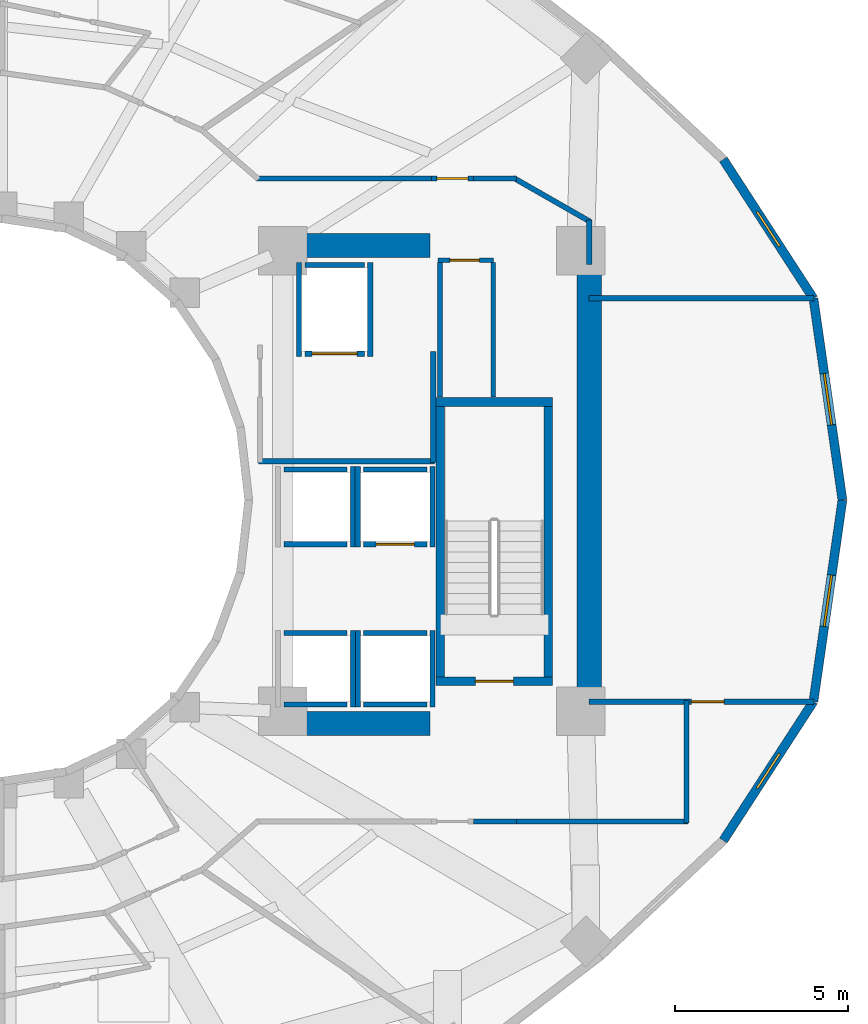
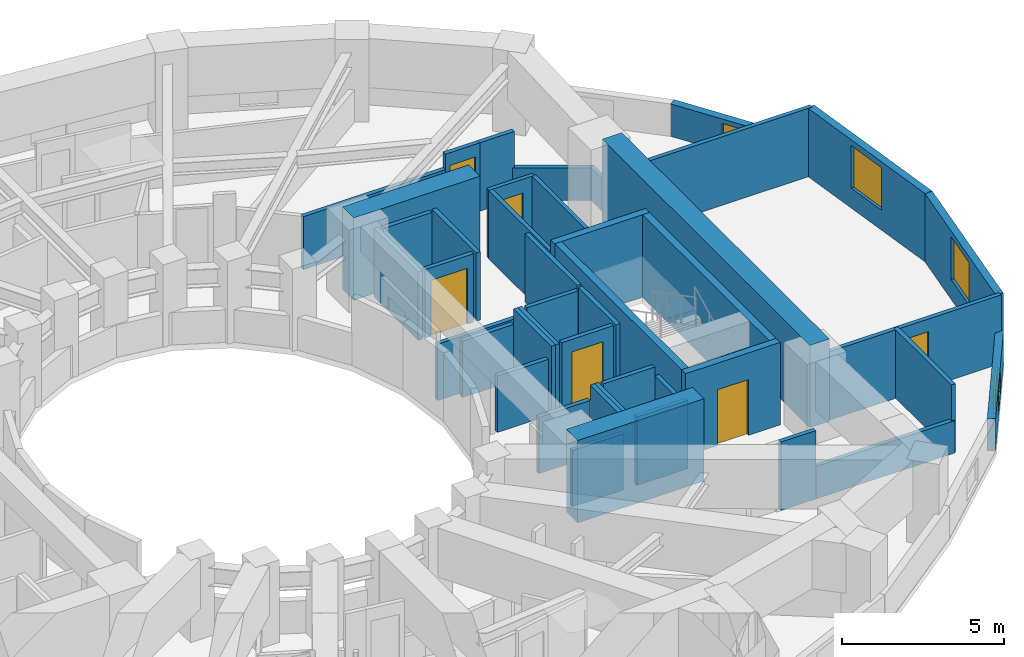
# One storey, part 6 of 9: 44 walls, 6 doors, 4 windows, 10 openings.
"""IFC4 building model written with IfcOpenShell, lengths in metres."""

import ifcopenshell
import ifcopenshell.guid

model = None  # the IFC model being written
_history = None  # IfcOwnerHistory: only IFC2X3 demands one
_inside = {}  # id of a spatial element -> (the spatial element, [elements in it])
_under = {}  # id of a project, library or spatial element -> (it, [spatial elements below it])
_declared = {}  # id of a project -> (the project, [libraries it declares])
_typed = {}  # id of a type object -> (the type object, [elements of that type])
_made_of = {}  # id of a material, layer set ... -> (it, [elements and type objects made of it])


def new_model(schema):
    """Start an empty IFC model of exactly this schema.

    Asked for "IFC4X3", IfcOpenShell would pick the latest addendum, in which some entities
    have other attributes; the version numbers below select the first issue.
    IFC2X3 requires an IfcOwnerHistory on every rooted entity: one is made here for all.
    """
    global model, _history
    if schema == "IFC4X3":
        model = ifcopenshell.file(schema_version=(4, 3, 0, 0))
    else:
        model = ifcopenshell.file(schema=schema)
    _inside.clear()
    _under.clear()
    _declared.clear()
    _typed.clear()
    _made_of.clear()
    _history = None
    if model.schema == "IFC2X3":
        org = make("IfcOrganization", Name="unknown")
        user = make(
            "IfcPersonAndOrganization",
            ThePerson=make("IfcPerson", FamilyName="unknown"),
            TheOrganization=org,
        )
        app = make(
            "IfcApplication",
            ApplicationDeveloper=org,
            Version="unknown",
            ApplicationFullName="unknown",
            ApplicationIdentifier="unknown",
        )
        _history = make(
            "IfcOwnerHistory",
            OwningUser=user,
            OwningApplication=app,
            ChangeAction="ADDED",
            CreationDate=0,
        )
    return model


def make(cls, **values):
    """One entity of the class cls with the attributes given. An attribute that is None is left unset."""
    return model.create_entity(
        cls, **{name: value for name, value in values.items() if value is not None}
    )


def rooted(cls, **values):
    """An entity with a GlobalId (a new one), such as an element, a storey or a relation."""
    return make(cls, GlobalId=ifcopenshell.guid.new(), OwnerHistory=_history, **values)


def si_unit(unit_type, name, prefix=None):
    """IfcSIUnit, for example si_unit("LENGTHUNIT", "METRE", prefix="MILLI")."""
    return make("IfcSIUnit", UnitType=unit_type, Prefix=prefix, Name=name)


def assignment(units):
    """IfcUnitAssignment: the units of a project."""
    return None if units is None else make("IfcUnitAssignment", Units=units)


def point(xyz):
    """IfcCartesianPoint."""
    return None if xyz is None else make("IfcCartesianPoint", Coordinates=xyz)


def direction(xyz):
    """IfcDirection."""
    return None if xyz is None else make("IfcDirection", DirectionRatios=xyz)


def frame(location, z_axis=None, x_axis=None):
    """IfcAxis2Placement3D, a coordinate frame: its origin and axes. An axis left out is left unset."""
    return make(
        "IfcAxis2Placement3D",
        Location=point(location),
        Axis=direction(z_axis),
        RefDirection=direction(x_axis),
    )


def frame_2d(location, x_axis=None):
    """IfcAxis2Placement2D, a coordinate frame in the plane: its origin and x axis."""
    return make(
        "IfcAxis2Placement2D", Location=point(location), RefDirection=direction(x_axis)
    )


def origin():
    """The frame at (0, 0, 0) with its axes left unset."""
    return frame((0.0, 0.0, 0.0))


def place(relative_to, where):
    """IfcLocalPlacement: puts the frame where relative to a parent placement (None: the world)."""
    return make(
        "IfcLocalPlacement", PlacementRelTo=relative_to, RelativePlacement=where
    )


def context(
    kind, dimensions, precision=None, world=None, true_north=None, identifier=None
):
    """IfcGeometricRepresentationContext, for example the 3D "Model" context."""
    return make(
        "IfcGeometricRepresentationContext",
        ContextIdentifier=identifier,
        ContextType=kind,
        CoordinateSpaceDimension=dimensions,
        Precision=precision,
        WorldCoordinateSystem=world,
        TrueNorth=true_north,
    )


def subcontext(parent, identifier, kind, view, scale=None):
    """IfcGeometricRepresentationSubContext, for example "Body" below "Model"."""
    return make(
        "IfcGeometricRepresentationSubContext",
        ContextIdentifier=identifier,
        ContextType=kind,
        ParentContext=parent,
        TargetScale=scale,
        TargetView=view,
    )


def project(units=None, contexts=None):
    """IfcProject with its units and contexts."""
    return rooted(
        "IfcProject",
        Name="project",
        RepresentationContexts=contexts,
        UnitsInContext=assignment(units),
    )


def spatial(cls, under=None, at=None, **own):
    """A site, building, storey or space (cls), placed at a placement, below another one or the project."""
    s = rooted(cls, ObjectPlacement=at, **own)
    if under is not None:
        _under.setdefault(under.id(), (under, []))[1].append(s)
    return s


def profile(cls, at=None, kind="AREA", **sizes):
    """A parametric profile (cls). Its sizes go by their IFC names, for example OverallWidth=200.0."""
    return make(cls, ProfileType=kind, Position=at, **sizes)


def rectangle(**sizes):
    """IfcRectangleProfileDef."""
    return profile("IfcRectangleProfileDef", **sizes)


def extrude(swept, where, along, depth):
    """IfcExtrudedAreaSolid: the profile swept, set in the frame where, extruded along a direction by depth."""
    return make(
        "IfcExtrudedAreaSolid",
        SweptArea=swept,
        Position=where,
        ExtrudedDirection=direction(along),
        Depth=depth,
    )


def shape(context_of_items, identifier, shape_type, items):
    """IfcShapeRepresentation: the items that make up one representation, for example the "Body"."""
    return make(
        "IfcShapeRepresentation",
        ContextOfItems=context_of_items,
        RepresentationIdentifier=identifier,
        RepresentationType=shape_type,
        Items=items,
    )


def material(Name=None, Category=None):
    """IfcMaterial."""
    return make("IfcMaterial", Name=Name, Category=Category)


def layer(
    of_material, thickness, ventilated=None, Name=None, Category=None, Priority=None
):
    """IfcMaterialLayer: one layer of a wall or slab, of a material (None: an air gap)."""
    return make(
        "IfcMaterialLayer",
        Material=of_material,
        LayerThickness=thickness,
        IsVentilated=ventilated,
        Name=Name,
        Category=Category,
        Priority=Priority,
    )


def layer_set(layers, Name=None):
    """IfcMaterialLayerSet."""
    return make("IfcMaterialLayerSet", MaterialLayers=layers, LayerSetName=Name)


def made_of(thing, what):
    """Note that an element or type object is made of a material, layer set ...; save() writes the relation."""
    if what is not None:
        _made_of.setdefault(what.id(), (what, []))[1].append(thing)
    return thing


def type_object(cls, material=None, **own):
    """A type object (cls), such as IfcWallType, which elements share."""
    return made_of(rooted(cls, **own), material)


def element(
    cls,
    number,
    at=None,
    inside=None,
    cuts=None,
    type_object=None,
    material=None,
    context=None,
    identifier="Body",
    shape_type=None,
    held_by="IfcProductDefinitionShape",
    body=None,
    shapes=None,
    **own,
):
    """One element of the class cls, such as IfcWall. Its Tag is "e" and its number.

    at: its placement. inside: the storey or other place that contains it. cuts: it is an
    opening in that element (IfcRelVoidsElement). A single representation is given by context,
    identifier, shape_type and body (its items); several are given by shapes. held_by: the class
    of the entity that holds the representations. save() writes the other relations.
    """
    e = rooted(cls, Tag="e%d" % number, ObjectPlacement=at, **own)
    if body is not None:
        shapes = [shape(context, identifier, shape_type, body)]
    if shapes is not None:
        e.Representation = make(held_by, Representations=shapes)
    if inside is not None:
        _inside.setdefault(inside.id(), (inside, []))[1].append(e)
    if cuts is not None:
        rooted(
            "IfcRelVoidsElement", RelatingBuildingElement=cuts, RelatedOpeningElement=e
        )
    if type_object is not None:
        _typed.setdefault(type_object.id(), (type_object, []))[1].append(e)
    return made_of(e, material)


def fill(opening, filler):
    """IfcRelFillsElement: the door or window that sits in an opening."""
    return rooted(
        "IfcRelFillsElement",
        RelatingOpeningElement=opening,
        RelatedBuildingElement=filler,
    )


def aggregate(whole, parts):
    """IfcRelAggregates: a whole, such as a stair, and the parts it consists of."""
    return rooted("IfcRelAggregates", RelatingObject=whole, RelatedObjects=parts)


def save(model, path):
    """Write the relations noted so far, then the file.

    IfcRelAggregates (storeys below a building ...), IfcRelContainedInSpatialStructure (elements
    in a storey), IfcRelDefinesByType, IfcRelAssociatesMaterial and IfcRelDeclares: one each for
    every whole, place, type object, material and project.
    """
    for whole, parts in _under.values():
        aggregate(whole, parts)
    for where, things in _inside.values():
        rooted(
            "IfcRelContainedInSpatialStructure",
            RelatedElements=things,
            RelatingStructure=where,
        )
    for kind, things in _typed.values():
        rooted("IfcRelDefinesByType", RelatedObjects=things, RelatingType=kind)
    for what, things in _made_of.values():
        rooted("IfcRelAssociatesMaterial", RelatedObjects=things, RelatingMaterial=what)
    for by, libraries in _declared.values():
        rooted("IfcRelDeclares", RelatingContext=by, RelatedDefinitions=libraries)
    model.write(path)


model = new_model("IFC4")

# Units and contexts
model_context = context("Model", 3, precision=1e-05, world=origin(), true_north=direction((0.0, 1.0)))
body_context = subcontext(model_context, "Body", "Model", "MODEL_VIEW")
ifc_project = project(units=[si_unit("LENGTHUNIT", "METRE"), si_unit("AREAUNIT", "SQUARE_METRE"), si_unit("VOLUMEUNIT", "CUBIC_METRE"), si_unit("PLANEANGLEUNIT", "RADIAN"), si_unit("MASSUNIT", "GRAM", prefix="KILO")], contexts=[model_context])

# Site, building, storey
site_placement = place(None, origin())
site = spatial("IfcSite", under=ifc_project, at=site_placement, CompositionType="ELEMENT")
building_placement = place(site_placement, origin())
building = spatial("IfcBuilding", under=site, at=building_placement, Name="Solvane Sanctuary Tower", CompositionType="ELEMENT")
storey_placement = place(building_placement, frame((0.0, 0.0, 110.39990234375)))
storey = spatial("IfcBuildingStorey", under=building, at=storey_placement, Name="L33", CompositionType="ELEMENT", Elevation=110.39990234375)

# Walls
ifc_material_1 = material(Name="Concrete C60/75", Category="concrete")
ifc_layer_1 = layer(ifc_material_1, 0.699951171875, Name="Concrete C60/75")
ifc_layer_set_1 = layer_set([ifc_layer_1], Name="Concrete C60/75")
wall_type_1 = type_object("IfcWallType", Name="Wall W-CORE-700", PredefinedType="SHEAR", material=ifc_layer_set_1)
wall_1_placement = place(storey_placement, frame((48.949951171875, 17.050048828125, 0.0), z_axis=(0.0, 0.0, 1.0), x_axis=(0.0, 1.0, 0.0)))
element("IfcWall", 1, at=wall_1_placement, inside=storey, type_object=wall_type_1, Name="L33 Core Shear Wall EC-E", PredefinedType="SHEAR", context=body_context, shape_type="SweptSolid", body=[
    extrude(rectangle(XDim=12.800048828125, YDim=0.699951171875, at=frame_2d((6.39990234375, 0.0))), origin(), (0.0, 0.0, 1.0), 3.10009765625),
])
for number, where, z_axis, x_axis, name in (
    (2, (39.85009765625, 16.550048828125, 0.0), (0.0, 0.0, 1.0), (1.0, 0.0, 0.0), "L33 Core Shear Wall EC-S"),
    (3, (39.85009765625, 30.35009765625, 0.0), (0.0, 0.0, 1.0), (1.0, 0.0, 0.0), "L33 Core Shear Wall EC-N"),
):
    element("IfcWall", number, at=place(storey_placement, frame(where, z_axis=z_axis, x_axis=x_axis)), inside=storey, type_object=wall_type_1, Name=name, PredefinedType="SHEAR", context=body_context, shape_type="SweptSolid", body=[
        extrude(rectangle(XDim=4.5, YDim=0.699951171875, at=frame_2d((2.25, 0.0))), origin(), (0.0, 0.0, 1.0), 3.10009765625),
    ])
ifc_material_2 = material(Name="Acoustic Gypsum Partition Board")
ifc_layer_2 = layer(ifc_material_2, 0.14990234375, Name="Acoustic Gypsum Partition Board")
ifc_layer_set_2 = layer_set([ifc_layer_2], Name="Acoustic Gypsum Partition Board")
wall_type_2 = type_object("IfcWallType", Name="Wall W-CORR-150", PredefinedType="PARTITIONING", material=ifc_layer_set_2)
wall_2_placement = place(storey_placement, frame((39.39990234375, 24.1201171875, 0.0), z_axis=(0.0, 0.0, 1.0), x_axis=(1.0, 0.0, 0.0)))
element("IfcWall", 4, at=wall_2_placement, inside=storey, type_object=wall_type_2, Name="L33 East Firefighting Lobby South Wall", PredefinedType="PARTITIONING", context=body_context, shape_type="SweptSolid", body=[
    extrude(rectangle(XDim=5.080078125, YDim=0.14990234375, at=frame_2d((2.5400390625, 0.0))), origin(), (0.0, 0.0, 1.0), 2.1201171875),
])
wall_3_placement = place(storey_placement, frame((44.449951171875, 24.080078125, 0.0), z_axis=(0.0, 0.0, 1.0), x_axis=(0.0, 1.0, 0.0)))
element("IfcWall", 5, at=wall_3_placement, inside=storey, type_object=wall_type_2, Name="L33 East Firefighting Lobby East Wall", PredefinedType="PARTITIONING", context=body_context, shape_type="SweptSolid", body=[
    extrude(rectangle(XDim=3.199951171875, YDim=0.14990234375, at=frame_2d((1.60009765625, 0.0))), origin(), (0.0, 0.0, 1.0), 2.5751953125),
])

# Wall, opening, door
wall_4_placement = place(storey_placement, frame((48.949951171875, 17.1748046875, 0.0), z_axis=(0.0, 0.0, 1.0), x_axis=(1.0, 0.0, 0.0)))
wall_4 = element("IfcWall", 6, at=wall_4_placement, inside=storey, type_object=wall_type_2, Name="L33 East Shoulder South Wall", PredefinedType="PARTITIONING", context=body_context, shape_type="SweptSolid", body=[
    extrude(rectangle(XDim=6.49169921875, YDim=0.14990234375, at=frame_2d((3.245849609375, 0.0))), origin(), (0.0, 0.0, 1.0), 2.5751953125),
])
opening_1_placement = place(wall_4_placement, frame((2.947509765625, 0.0, 0.0)))
opening_1 = element("IfcOpeningElement", 7, at=opening_1_placement, cuts=wall_4, Name="Opening D-L33-08", PredefinedType="OPENING", context=body_context, shape_type="SweptSolid", body=[
    extrude(rectangle(XDim=0.949951171875, YDim=2.10009765625, at=frame_2d((0.47509765625, 1.050048828125))), frame((0.0, 0.0849609375, 0.0), z_axis=(0.0, -1.0, 0.0), x_axis=(1.0, 0.0, 0.0)), (0.0, 0.0, 1.0), 0.169921875),
])
ifc_material_3 = material(Name="Engineered Tropical Hardwood", Category="wood")
door_type_1 = type_object("IfcDoorType", Name="Door D-ROOM-950", OperationType="NOTDEFINED", PredefinedType="DOOR", material=ifc_material_3)
door_1_placement = place(opening_1_placement, origin())
door_1 = element("IfcDoor", 8, at=door_1_placement, inside=storey, type_object=door_type_1, Name="L33 East Shoulder South Door", OperationType="SINGLE_SWING_LEFT", OverallHeight=2.10009765625, OverallWidth=0.949951171875, PredefinedType="DOOR", context=body_context, shape_type="SweptSolid", body=[
    extrude(rectangle(XDim=0.949951171875, YDim=2.10009765625, at=frame_2d((0.47509765625, 1.050048828125))), frame((0.0, 0.02490234375, 0.0), z_axis=(0.0, -1.0, 0.0), x_axis=(1.0, 0.0, 0.0)), (0.0, 0.0, 1.0), 0.050048828125),
])
fill(opening_1, door_1)

# Walls
wall_5_placement = place(storey_placement, frame((48.949951171875, 28.8251953125, 0.0), z_axis=(0.0, 0.0, 1.0), x_axis=(1.0, 0.0, 0.0)))
element("IfcWall", 9, at=wall_5_placement, inside=storey, type_object=wall_type_2, Name="L33 East Shoulder North Wall", PredefinedType="PARTITIONING", context=body_context, shape_type="SweptSolid", body=[
    extrude(rectangle(XDim=6.49169921875, YDim=0.14990234375, at=frame_2d((3.245849609375, 0.0))), origin(), (0.0, 0.0, 1.0), 2.5751953125),
])
wall_6_placement = place(storey_placement, frame((48.949951171875, 29.800048828125, 0.0), z_axis=(0.0, 0.0, 1.0), x_axis=(0.0, 1.0, 0.0)))
element("IfcWall", 10, at=wall_6_placement, inside=storey, type_object=wall_type_2, Name="L33 NE Corner Closer 1", PredefinedType="PARTITIONING", context=body_context, shape_type="SweptSolid", body=[
    extrude(rectangle(XDim=1.2900390625, YDim=0.14990234375, at=frame_2d((0.64501953125, 0.0))), origin(), (0.0, 0.0, 1.0), 1.22021484375),
])
wall_7_placement = place(storey_placement, frame((39.330078125, 32.280029296875, 0.0), z_axis=(0.0, 0.0, 1.0), x_axis=(1.0, 0.0, 0.0)))
element("IfcWall", 11, at=wall_7_placement, inside=storey, type_object=wall_type_2, Name="L33 NE Corner Corridor Wall", PredefinedType="PARTITIONING", context=body_context, shape_type="SweptSolid", body=[
    extrude(rectangle(XDim=5.059814453125, YDim=0.14990234375, at=frame_2d((2.52978515625, 0.0))), origin(), (0.0, 0.0, 1.0), 1.9921875),
])

# Wall, opening, door
wall_8_placement = place(storey_placement, frame((44.389892578125, 32.280029296875, 0.0), z_axis=(0.0, 0.0, 1.0), x_axis=(1.0, 0.0, 0.0)))
wall_8 = element("IfcWall", 12, at=wall_8_placement, inside=storey, type_object=wall_type_2, Name="L33 NE Corner Corridor Wall", PredefinedType="PARTITIONING", context=body_context, shape_type="SweptSolid", body=[
    extrude(rectangle(XDim=1.22021484375, YDim=0.14990234375, at=frame_2d((0.610107421875, 0.0))), origin(), (0.0, 0.0, 1.0), 2.5751953125),
])
opening_2_placement = place(wall_8_placement, frame((0.159912109375, 0.0, 0.0)))
opening_2 = element("IfcOpeningElement", 13, at=opening_2_placement, cuts=wall_8, Name="Opening D-L33-10", PredefinedType="OPENING", context=body_context, shape_type="SweptSolid", body=[
    extrude(rectangle(XDim=0.89990234375, YDim=2.10009765625, at=frame_2d((0.449951171875, 1.050048828125))), frame((0.0, 0.0849609375, 0.0), z_axis=(0.0, -1.0, 0.0), x_axis=(1.0, 0.0, 0.0)), (0.0, 0.0, 1.0), 0.169921875),
])
door_type_2 = type_object("IfcDoorType", Name="Door D-WET-900", OperationType="NOTDEFINED", PredefinedType="DOOR", material=ifc_material_3)
door_2_placement = place(opening_2_placement, origin())
door_2 = element("IfcDoor", 14, at=door_2_placement, inside=storey, type_object=door_type_2, Name="L33 NE Corner Salon Door", OperationType="SINGLE_SWING_LEFT", OverallHeight=2.10009765625, OverallWidth=0.89990234375, PredefinedType="DOOR", context=body_context, shape_type="SweptSolid", body=[
    extrude(rectangle(XDim=0.89990234375, YDim=2.10009765625, at=frame_2d((0.449951171875, 1.050048828125))), frame((0.0, 0.02490234375, 0.0), z_axis=(0.0, -1.0, 0.0), x_axis=(1.0, 0.0, 0.0)), (0.0, 0.0, 1.0), 0.050048828125),
])
fill(opening_2, door_2)

# Walls
wall_9_placement = place(storey_placement, frame((45.610107421875, 32.280029296875, 0.0), z_axis=(0.0, 0.0, 1.0), x_axis=(1.0, 0.0, 0.0)))
element("IfcWall", 15, at=wall_9_placement, inside=storey, type_object=wall_type_2, Name="L33 NE Corner Corridor Wall", PredefinedType="PARTITIONING", context=body_context, shape_type="SweptSolid", body=[
    extrude(rectangle(XDim=1.239990234375, YDim=0.14990234375, at=frame_2d((0.6201171875, 0.0))), origin(), (0.0, 0.0, 1.0), 2.5751953125),
])
wall_10_placement = place(storey_placement, frame((46.756591796875, 32.3046875, 0.0), z_axis=(0.0, 0.0, 1.0), x_axis=(0.867991349648, -0.496579315857, 0.0)))
element("IfcWall", 16, at=wall_10_placement, inside=storey, type_object=wall_type_2, Name="L33 NE Corner Wing Wall", PredefinedType="PARTITIONING", context=body_context, shape_type="SweptSolid", body=[
    extrude(rectangle(XDim=2.56689453125, YDim=0.14990234375, at=frame_2d((1.283447265625, 0.0))), origin(), (0.0, 0.0, 1.0), 1.22021484375),
])
wall_11_placement = place(storey_placement, frame((51.760009765625, 13.679931640625, 0.0), z_axis=(0.0, 0.0, 1.0), x_axis=(0.0, 1.0, 0.0)))
element("IfcWall", 17, at=wall_11_placement, inside=storey, type_object=wall_type_2, Name="L33 SE Corner Closer 1", PredefinedType="PARTITIONING", context=body_context, shape_type="SweptSolid", body=[
    extrude(rectangle(XDim=3.534912109375, YDim=0.14990234375, at=frame_2d((1.767578125, 0.0))), origin(), (0.0, 0.0, 1.0), 2.5751953125),
])
wall_12_placement = place(storey_placement, frame((45.610107421875, 13.719970703125, 0.0), z_axis=(0.0, 0.0, 1.0), x_axis=(1.0, 0.0, 0.0)))
element("IfcWall", 18, at=wall_12_placement, inside=storey, type_object=wall_type_2, Name="L33 SE Corner Corridor Wall", PredefinedType="PARTITIONING", context=body_context, shape_type="SweptSolid", body=[
    extrude(rectangle(XDim=1.239990234375, YDim=0.14990234375, at=frame_2d((0.6201171875, 0.0))), origin(), (0.0, 0.0, 1.0), 2.5751953125),
])
wall_13_placement = place(storey_placement, frame((46.75, 13.719970703125, 0.0), z_axis=(0.0, 0.0, 1.0), x_axis=(1.0, 0.0, 0.0)))
element("IfcWall", 19, at=wall_13_placement, inside=storey, type_object=wall_type_2, Name="L33 SE Corner Wing Wall", PredefinedType="PARTITIONING", context=body_context, shape_type="SweptSolid", body=[
    extrude(rectangle(XDim=5.050048828125, YDim=0.14990234375, at=frame_2d((2.52490234375, 0.0))), origin(), (0.0, 0.0, 1.0), 1.22021484375),
])

# Wall, opening, window
ifc_material_4 = material(Name="Precast concrete C40/50", Category="concrete")
ifc_layer_3 = layer(ifc_material_4, 0.260009765625, Name="Precast concrete C40/50")
ifc_layer_set_3 = layer_set([ifc_layer_3], Name="Precast concrete C40/50")
wall_type_3 = type_object("IfcWallType", Name="Wall W-EXT-250", PredefinedType="STANDARD", material=ifc_layer_set_3)
wall_14_placement = place(storey_placement, frame((56.260009765625, 23.0, 0.0), z_axis=(0.0, 0.0, 1.0), x_axis=(-0.142572472068, 0.98978436551, 0.0)))
wall_14 = element("IfcWall", 20, at=wall_14_placement, inside=storey, type_object=wall_type_3, Name="L33 Ceramic-Printed Facade Wall 00", PredefinedType="STANDARD", context=body_context, shape_type="SweptSolid", body=[
    extrude(rectangle(XDim=5.878662109375, YDim=0.260009765625, at=frame_2d((2.939453125, 0.0))), origin(), (0.0, 0.0, 1.0), 2.570068359375),
])
opening_3_placement = place(wall_14_placement, frame((2.189453125, 0.0, 0.75)))
opening_3 = element("IfcOpeningElement", 21, at=opening_3_placement, cuts=wall_14, Name="Opening WN-OPER-1500", PredefinedType="OPENING", context=body_context, shape_type="SweptSolid", body=[
    extrude(rectangle(XDim=1.5, YDim=1.60009765625, at=frame_2d((0.75, 0.800048828125))), frame((0.0, 0.139892578125, 0.0), z_axis=(0.0, -1.0, 0.0), x_axis=(1.0, 0.0, 0.0)), (0.0, 0.0, 1.0), 0.280029296875),
])
ifc_material_5 = material(Name="Dark Ceramic-Fritted Low-E Glass", Category="glass")
window_type_1 = type_object("IfcWindowType", Name="Window WN-OPER-1500", PartitioningType="SINGLE_PANEL", PredefinedType="WINDOW", material=ifc_material_5)
window_1_placement = place(opening_3_placement, origin())
window_1 = element("IfcWindow", 22, at=window_1_placement, inside=storey, type_object=window_type_1, Name="L33 Operable Facade Window 00", OverallHeight=1.60009765625, OverallWidth=1.5, PartitioningType="SINGLE_PANEL", PredefinedType="WINDOW", context=body_context, shape_type="SweptSolid", body=[
    extrude(rectangle(XDim=1.5, YDim=1.60009765625, at=frame_2d((0.75, 0.800048828125))), frame((0.0, 0.030029296875, 0.0), z_axis=(0.0, -1.0, 0.0), x_axis=(1.0, 0.0, 0.0)), (0.0, 0.0, 1.0), 0.06005859375),
])
fill(opening_3, window_1)

wall_15_placement = place(storey_placement, frame((55.421875, 28.818603515625, 0.0), z_axis=(0.0, 0.0, 1.0), x_axis=(-0.544388392991, 0.838833283541, 0.0)))
wall_15 = element("IfcWall", 23, at=wall_15_placement, inside=storey, type_object=wall_type_3, Name="L33 Ceramic-Printed Facade Wall 01", PredefinedType="STANDARD", context=body_context, shape_type="SweptSolid", body=[
    extrude(rectangle(XDim=4.7783203125, YDim=0.260009765625, at=frame_2d((2.38916015625, 0.0))), origin(), (0.0, 0.0, 1.0), 1.22021484375),
])
opening_4_placement = place(wall_15_placement, frame((1.7890625, 0.0, 0.14990234375)))
opening_4 = element("IfcOpeningElement", 24, at=opening_4_placement, cuts=wall_15, Name="Opening WN-OPER-1200", PredefinedType="OPENING", context=body_context, shape_type="SweptSolid", body=[
    extrude(rectangle(XDim=1.199951171875, YDim=0.89990234375, at=frame_2d((0.60009765625, 0.449951171875))), frame((0.0, 0.139892578125, 0.0), z_axis=(0.0, -1.0, 0.0), x_axis=(1.0, 0.0, 0.0)), (0.0, 0.0, 1.0), 0.280029296875),
])
window_type_2 = type_object("IfcWindowType", Name="Window WN-OPER-1200", PartitioningType="SINGLE_PANEL", PredefinedType="WINDOW", material=ifc_material_5)
window_2_placement = place(opening_4_placement, origin())
window_2 = element("IfcWindow", 25, at=window_2_placement, inside=storey, type_object=window_type_2, Name="L33 Operable Facade Window 01", OverallHeight=0.89990234375, OverallWidth=1.199951171875, PartitioningType="SINGLE_PANEL", PredefinedType="WINDOW", context=body_context, shape_type="SweptSolid", body=[
    extrude(rectangle(XDim=1.199951171875, YDim=0.89990234375, at=frame_2d((0.60009765625, 0.449951171875))), frame((0.0, 0.030029296875, 0.0), z_axis=(0.0, -1.0, 0.0), x_axis=(1.0, 0.0, 0.0)), (0.0, 0.0, 1.0), 0.06005859375),
])
fill(opening_4, window_2)

wall_16_placement = place(storey_placement, frame((52.820556640625, 13.173095703125, 0.0), z_axis=(0.0, 0.0, 1.0), x_axis=(0.544388392991, 0.838833283541, 0.0)))
wall_16 = element("IfcWall", 26, at=wall_16_placement, inside=storey, type_object=wall_type_3, Name="L33 Ceramic-Printed Facade Wall 22", PredefinedType="STANDARD", context=body_context, shape_type="SweptSolid", body=[
    extrude(rectangle(XDim=4.7783203125, YDim=0.260009765625, at=frame_2d((2.38916015625, 0.0))), origin(), (0.0, 0.0, 1.0), 1.22021484375),
])
opening_5_placement = place(wall_16_placement, frame((1.7890625, 0.0, 0.14990234375)))
opening_5 = element("IfcOpeningElement", 27, at=opening_5_placement, cuts=wall_16, Name="Opening WN-OPER-1200", PredefinedType="OPENING", context=body_context, shape_type="SweptSolid", body=[
    extrude(rectangle(XDim=1.199951171875, YDim=0.89990234375, at=frame_2d((0.60009765625, 0.449951171875))), frame((0.0, 0.139892578125, 0.0), z_axis=(0.0, -1.0, 0.0), x_axis=(1.0, 0.0, 0.0)), (0.0, 0.0, 1.0), 0.280029296875),
])
window_3_placement = place(opening_5_placement, origin())
window_3 = element("IfcWindow", 28, at=window_3_placement, inside=storey, type_object=window_type_2, Name="L33 Operable Facade Window 22", OverallHeight=0.89990234375, OverallWidth=1.199951171875, PartitioningType="SINGLE_PANEL", PredefinedType="WINDOW", context=body_context, shape_type="SweptSolid", body=[
    extrude(rectangle(XDim=1.199951171875, YDim=0.89990234375, at=frame_2d((0.60009765625, 0.449951171875))), frame((0.0, 0.030029296875, 0.0), z_axis=(0.0, -1.0, 0.0), x_axis=(1.0, 0.0, 0.0)), (0.0, 0.0, 1.0), 0.06005859375),
])
fill(opening_5, window_3)

wall_17_placement = place(storey_placement, frame((55.421875, 17.181396484375, 0.0), z_axis=(0.0, 0.0, 1.0), x_axis=(0.142572472068, 0.98978436551, 0.0)))
wall_17 = element("IfcWall", 29, at=wall_17_placement, inside=storey, type_object=wall_type_3, Name="L33 Ceramic-Printed Facade Wall 23", PredefinedType="STANDARD", context=body_context, shape_type="SweptSolid", body=[
    extrude(rectangle(XDim=5.878662109375, YDim=0.260009765625, at=frame_2d((2.939453125, 0.0))), origin(), (0.0, 0.0, 1.0), 2.570068359375),
])
opening_6_placement = place(wall_17_placement, frame((2.189453125, 0.0, 0.75)))
opening_6 = element("IfcOpeningElement", 30, at=opening_6_placement, cuts=wall_17, Name="Opening WN-OPER-1500", PredefinedType="OPENING", context=body_context, shape_type="SweptSolid", body=[
    extrude(rectangle(XDim=1.5, YDim=1.60009765625, at=frame_2d((0.75, 0.800048828125))), frame((0.0, 0.139892578125, 0.0), z_axis=(0.0, -1.0, 0.0), x_axis=(1.0, 0.0, 0.0)), (0.0, 0.0, 1.0), 0.280029296875),
])
window_4_placement = place(opening_6_placement, origin())
window_4 = element("IfcWindow", 31, at=window_4_placement, inside=storey, type_object=window_type_1, Name="L33 Operable Facade Window 23", OverallHeight=1.60009765625, OverallWidth=1.5, PartitioningType="SINGLE_PANEL", PredefinedType="WINDOW", context=body_context, shape_type="SweptSolid", body=[
    extrude(rectangle(XDim=1.5, YDim=1.60009765625, at=frame_2d((0.75, 0.800048828125))), frame((0.0, 0.030029296875, 0.0), z_axis=(0.0, -1.0, 0.0), x_axis=(1.0, 0.0, 0.0)), (0.0, 0.0, 1.0), 0.06005859375),
])
fill(opening_6, window_4)

# Walls
ifc_material_6 = material(Name="Concrete C50/60", Category="concrete")
ifc_layer_4 = layer(ifc_material_6, 0.14990234375, Name="Concrete C50/60")
ifc_layer_set_4 = layer_set([ifc_layer_4], Name="Concrete C50/60")
wall_type_4 = type_object("IfcWallType", Name="Wall W-SHAFT-150", PredefinedType="SOLIDWALL", material=ifc_layer_set_4)
for number, where, z_axis, x_axis, name in (
    (32, (40.139892578125, 19.159912109375, 0.0), (0.0, 0.0, 1.0), (1.0, 0.0, 0.0), "L33 PL-3 Lift Shaft Wall F"),
    (33, (40.139892578125, 17.10009765625, 0.0), (0.0, 0.0, 1.0), (1.0, 0.0, 0.0), "L33 PL-3 Lift Shaft Wall B"),
):
    element("IfcWall", number, at=place(storey_placement, frame(where, z_axis=z_axis, x_axis=x_axis)), inside=storey, type_object=wall_type_4, Name=name, PredefinedType="SOLIDWALL", context=body_context, shape_type="SweptSolid", body=[
        extrude(rectangle(XDim=1.820068359375, YDim=0.14990234375, at=frame_2d((0.91015625, 0.0))), origin(), (0.0, 0.0, 1.0), 2.1201171875),
    ])
wall_18_placement = place(storey_placement, frame((42.1298828125, 17.02001953125, 0.0), z_axis=(0.0, 0.0, 1.0), x_axis=(0.0, 1.0, 0.0)))
element("IfcWall", 34, at=wall_18_placement, inside=storey, type_object=wall_type_4, Name="L33 PL-3 Lift Shaft Wall S2", PredefinedType="SOLIDWALL", context=body_context, shape_type="SweptSolid", body=[
    extrude(rectangle(XDim=2.219970703125, YDim=0.14990234375, at=frame_2d((1.10986328125, 0.0))), origin(), (0.0, 0.0, 1.0), 2.5751953125),
])
for number, where, z_axis, x_axis, name in (
    (35, (42.43994140625, 19.159912109375, 0.0), (0.0, 0.0, 1.0), (1.0, 0.0, 0.0), "L33 PL-4 Lift Shaft Wall F"),
    (36, (42.43994140625, 17.10009765625, 0.0), (0.0, 0.0, 1.0), (1.0, 0.0, 0.0), "L33 PL-4 Lift Shaft Wall B"),
):
    element("IfcWall", number, at=place(storey_placement, frame(where, z_axis=z_axis, x_axis=x_axis)), inside=storey, type_object=wall_type_4, Name=name, PredefinedType="SOLIDWALL", context=body_context, shape_type="SweptSolid", body=[
        extrude(rectangle(XDim=1.820068359375, YDim=0.14990234375, at=frame_2d((0.91015625, 0.0))), origin(), (0.0, 0.0, 1.0), 2.5751953125),
    ])
wall_19_placement = place(storey_placement, frame((42.27001953125, 17.02001953125, 0.0), z_axis=(0.0, 0.0, 1.0), x_axis=(0.0, 1.0, 0.0)))
element("IfcWall", 37, at=wall_19_placement, inside=storey, type_object=wall_type_4, Name="L33 PL-4 Lift Shaft Wall S1", PredefinedType="SOLIDWALL", context=body_context, shape_type="SweptSolid", body=[
    extrude(rectangle(XDim=2.219970703125, YDim=0.14990234375, at=frame_2d((1.10986328125, 0.0))), origin(), (0.0, 0.0, 1.0), 2.5751953125),
])
wall_20_placement = place(storey_placement, frame((44.429931640625, 17.02001953125, 0.0), z_axis=(0.0, 0.0, 1.0), x_axis=(0.0, 1.0, 0.0)))
element("IfcWall", 38, at=wall_20_placement, inside=storey, type_object=wall_type_4, Name="L33 PL-4 Lift Shaft Wall S2", PredefinedType="SOLIDWALL", context=body_context, shape_type="SweptSolid", body=[
    extrude(rectangle(XDim=2.219970703125, YDim=0.14990234375, at=frame_2d((1.10986328125, 0.0))), origin(), (0.0, 0.0, 1.0), 2.1201171875),
])

# Wall, opening, door
wall_21_placement = place(storey_placement, frame((42.43994140625, 21.719970703125, 0.0), z_axis=(0.0, 0.0, 1.0), x_axis=(1.0, 0.0, 0.0)))
wall_21 = element("IfcWall", 39, at=wall_21_placement, inside=storey, type_object=wall_type_4, Name="L33 PM-2 Lift Shaft Wall F", PredefinedType="SOLIDWALL", context=body_context, shape_type="SweptSolid", body=[
    extrude(rectangle(XDim=1.820068359375, YDim=0.14990234375, at=frame_2d((0.91015625, 0.0))), origin(), (0.0, 0.0, 1.0), 2.5751953125),
])
opening_7_placement = place(wall_21_placement, frame((0.360107421875, 0.0, 0.0)))
opening_7 = element("IfcOpeningElement", 40, at=opening_7_placement, cuts=wall_21, Name="Opening LD-L33-02", PredefinedType="OPENING", context=body_context, shape_type="SweptSolid", body=[
    extrude(rectangle(XDim=1.10009765625, YDim=2.10009765625, at=frame_2d((0.550048828125, 1.050048828125))), frame((0.0, 0.0849609375, 0.0), z_axis=(0.0, -1.0, 0.0), x_axis=(1.0, 0.0, 0.0)), (0.0, 0.0, 1.0), 0.169921875),
])
ifc_material_7 = material(Name="Architectural Stainless Steel 316", Category="steel")
door_type_3 = type_object("IfcDoorType", Name="Door LD-PASS-1100", OperationType="NOTDEFINED", PredefinedType="DOOR", material=ifc_material_7)
door_3_placement = place(opening_7_placement, origin())
door_3 = element("IfcDoor", 41, at=door_3_placement, inside=storey, type_object=door_type_3, Name="L33 PM-2 Lift Landing Door", OperationType="DOUBLE_DOOR_SLIDING", OverallHeight=2.10009765625, OverallWidth=1.10009765625, PredefinedType="DOOR", context=body_context, shape_type="SweptSolid", body=[
    extrude(rectangle(XDim=1.10009765625, YDim=2.10009765625, at=frame_2d((0.550048828125, 1.050048828125))), frame((0.0, 0.02490234375, 0.0), z_axis=(0.0, -1.0, 0.0), x_axis=(1.0, 0.0, 0.0)), (0.0, 0.0, 1.0), 0.050048828125),
])
fill(opening_7, door_3)

# Walls
wall_22_placement = place(storey_placement, frame((42.43994140625, 23.8798828125, 0.0), z_axis=(0.0, 0.0, 1.0), x_axis=(1.0, 0.0, 0.0)))
element("IfcWall", 42, at=wall_22_placement, inside=storey, type_object=wall_type_4, Name="L33 PM-2 Lift Shaft Wall B", PredefinedType="SOLIDWALL", context=body_context, shape_type="SweptSolid", body=[
    extrude(rectangle(XDim=1.820068359375, YDim=0.14990234375, at=frame_2d((0.91015625, 0.0))), origin(), (0.0, 0.0, 1.0), 2.5751953125),
])
for number, where, z_axis, x_axis, name in (
    (43, (42.27001953125, 21.639892578125, 0.0), (0.0, 0.0, 1.0), (0.0, 1.0, 0.0), "L33 PM-2 Lift Shaft Wall S1"),
    (44, (44.429931640625, 21.639892578125, 0.0), (0.0, 0.0, 1.0), (0.0, 1.0, 0.0), "L33 PM-2 Lift Shaft Wall S2"),
):
    element("IfcWall", number, at=place(storey_placement, frame(where, z_axis=z_axis, x_axis=x_axis)), inside=storey, type_object=wall_type_4, Name=name, PredefinedType="SOLIDWALL", context=body_context, shape_type="SweptSolid", body=[
        extrude(rectangle(XDim=2.320068359375, YDim=0.14990234375, at=frame_2d((1.16015625, 0.0))), origin(), (0.0, 0.0, 1.0), 2.5751953125),
    ])
for number, where, z_axis, x_axis, name in (
    (45, (40.139892578125, 21.719970703125, 0.0), (0.0, 0.0, 1.0), (1.0, 0.0, 0.0), "L33 PH-2 Lift Shaft Wall F"),
    (46, (40.139892578125, 23.8798828125, 0.0), (0.0, 0.0, 1.0), (1.0, 0.0, 0.0), "L33 PH-2 Lift Shaft Wall B"),
):
    element("IfcWall", number, at=place(storey_placement, frame(where, z_axis=z_axis, x_axis=x_axis)), inside=storey, type_object=wall_type_4, Name=name, PredefinedType="SOLIDWALL", context=body_context, shape_type="SweptSolid", body=[
        extrude(rectangle(XDim=1.820068359375, YDim=0.14990234375, at=frame_2d((0.91015625, 0.0))), origin(), (0.0, 0.0, 1.0), 2.1201171875),
    ])
wall_23_placement = place(storey_placement, frame((42.1298828125, 21.639892578125, 0.0), z_axis=(0.0, 0.0, 1.0), x_axis=(0.0, 1.0, 0.0)))
element("IfcWall", 47, at=wall_23_placement, inside=storey, type_object=wall_type_4, Name="L33 PH-2 Lift Shaft Wall S2", PredefinedType="SOLIDWALL", context=body_context, shape_type="SweptSolid", body=[
    extrude(rectangle(XDim=2.320068359375, YDim=0.14990234375, at=frame_2d((1.16015625, 0.0))), origin(), (0.0, 0.0, 1.0), 2.5751953125),
])

# Wall, opening, door
wall_24_placement = place(storey_placement, frame((40.739990234375, 27.219970703125, 0.0), z_axis=(0.0, 0.0, 1.0), x_axis=(1.0, 0.0, 0.0)))
wall_24 = element("IfcWall", 48, at=wall_24_placement, inside=storey, type_object=wall_type_4, Name="L33 FFL-2 Lift Shaft Wall F", PredefinedType="SOLIDWALL", context=body_context, shape_type="SweptSolid", body=[
    extrude(rectangle(XDim=1.719970703125, YDim=0.14990234375, at=frame_2d((0.85986328125, 0.0))), origin(), (0.0, 0.0, 1.0), 2.5751953125),
])
opening_8_placement = place(wall_24_placement, frame((0.2099609375, 0.0, 0.0)))
opening_8 = element("IfcOpeningElement", 49, at=opening_8_placement, cuts=wall_24, Name="Opening LD-L33-05", PredefinedType="OPENING", context=body_context, shape_type="SweptSolid", body=[
    extrude(rectangle(XDim=1.300048828125, YDim=2.10009765625, at=frame_2d((0.64990234375, 1.050048828125))), frame((0.0, 0.0849609375, 0.0), z_axis=(0.0, -1.0, 0.0), x_axis=(1.0, 0.0, 0.0)), (0.0, 0.0, 1.0), 0.169921875),
])
door_type_4 = type_object("IfcDoorType", Name="Door LD-FFL-1300", OperationType="NOTDEFINED", PredefinedType="DOOR", material=ifc_material_7)
door_4_placement = place(opening_8_placement, origin())
door_4 = element("IfcDoor", 50, at=door_4_placement, inside=storey, type_object=door_type_4, Name="L33 FFL-2 Lift Landing Door", OperationType="DOUBLE_DOOR_SLIDING", OverallHeight=2.10009765625, OverallWidth=1.300048828125, PredefinedType="DOOR", context=body_context, shape_type="SweptSolid", body=[
    extrude(rectangle(XDim=1.300048828125, YDim=2.10009765625, at=frame_2d((0.64990234375, 1.050048828125))), frame((0.0, 0.02490234375, 0.0), z_axis=(0.0, -1.0, 0.0), x_axis=(1.0, 0.0, 0.0)), (0.0, 0.0, 1.0), 0.050048828125),
])
fill(opening_8, door_4)

# Walls
wall_25_placement = place(storey_placement, frame((40.739990234375, 29.780029296875, 0.0), z_axis=(0.0, 0.0, 1.0), x_axis=(1.0, 0.0, 0.0)))
element("IfcWall", 51, at=wall_25_placement, inside=storey, type_object=wall_type_4, Name="L33 FFL-2 Lift Shaft Wall B", PredefinedType="SOLIDWALL", context=body_context, shape_type="SweptSolid", body=[
    extrude(rectangle(XDim=1.719970703125, YDim=0.14990234375, at=frame_2d((0.85986328125, 0.0))), origin(), (0.0, 0.0, 1.0), 2.5751953125),
])
for number, where, z_axis, x_axis, name in (
    (52, (40.570068359375, 27.139892578125, 0.0), (0.0, 0.0, 1.0), (0.0, 1.0, 0.0), "L33 FFL-2 Lift Shaft Wall S1"),
    (53, (42.6298828125, 27.139892578125, 0.0), (0.0, 0.0, 1.0), (0.0, 1.0, 0.0), "L33 FFL-2 Lift Shaft Wall S2"),
):
    element("IfcWall", number, at=place(storey_placement, frame(where, z_axis=z_axis, x_axis=x_axis)), inside=storey, type_object=wall_type_4, Name=name, PredefinedType="SOLIDWALL", context=body_context, shape_type="SweptSolid", body=[
        extrude(rectangle(XDim=2.72021484375, YDim=0.14990234375, at=frame_2d((1.360107421875, 0.0))), origin(), (0.0, 0.0, 1.0), 2.5751953125),
    ])

# Wall, opening, door
ifc_layer_5 = layer(ifc_material_6, 0.25, Name="Concrete C50/60")
ifc_layer_set_5 = layer_set([ifc_layer_5], Name="Concrete C50/60")
wall_type_5 = type_object("IfcWallType", Name="Wall W-SHAFT-250", PredefinedType="SOLIDWALL", material=ifc_layer_set_5)
wall_26_placement = place(storey_placement, frame((44.52490234375, 17.77001953125, 0.0), z_axis=(0.0, 0.0, 1.0), x_axis=(1.0, 0.0, 0.0)))
wall_26 = element("IfcWall", 54, at=wall_26_placement, inside=storey, type_object=wall_type_5, Name="L33 ST-2 Load-Bearing Shaft Wall S", PredefinedType="SOLIDWALL", context=body_context, shape_type="SweptSolid", body=[
    extrude(rectangle(XDim=3.3701171875, YDim=0.25, at=frame_2d((1.68505859375, 0.0))), origin(), (0.0, 0.0, 1.0), 3.10009765625),
])
opening_9_placement = place(wall_26_placement, frame((1.135009765625, 0.0, 0.0)))
opening_9 = element("IfcOpeningElement", 55, at=opening_9_placement, cuts=wall_26, Name="Opening D-L33-02", PredefinedType="OPENING", context=body_context, shape_type="SweptSolid", body=[
    extrude(rectangle(XDim=1.10009765625, YDim=2.10009765625, at=frame_2d((0.550048828125, 1.050048828125))), frame((0.0, 0.135009765625, 0.0), z_axis=(0.0, -1.0, 0.0), x_axis=(1.0, 0.0, 0.0)), (0.0, 0.0, 1.0), 0.27001953125),
])
door_type_5 = type_object("IfcDoorType", Name="Door D-STAIR", OperationType="NOTDEFINED", PredefinedType="DOOR", material=ifc_material_7)
door_5_placement = place(opening_9_placement, origin())
door_5 = element("IfcDoor", 56, at=door_5_placement, inside=storey, type_object=door_type_5, Name="L33 ST-2 Exit Stair Fire Door", OperationType="SINGLE_SWING_RIGHT", OverallHeight=2.10009765625, OverallWidth=1.10009765625, PredefinedType="DOOR", context=body_context, shape_type="SweptSolid", body=[
    extrude(rectangle(XDim=1.10009765625, YDim=2.10009765625, at=frame_2d((0.550048828125, 1.050048828125))), frame((0.0, 0.02490234375, 0.0), z_axis=(0.0, -1.0, 0.0), x_axis=(1.0, 0.0, 0.0)), (0.0, 0.0, 1.0), 0.050048828125),
])
fill(opening_9, door_5)

# Walls
wall_27_placement = place(storey_placement, frame((44.52490234375, 25.830078125, 0.0), z_axis=(0.0, 0.0, 1.0), x_axis=(1.0, 0.0, 0.0)))
element("IfcWall", 57, at=wall_27_placement, inside=storey, type_object=wall_type_5, Name="L33 ST-2 Load-Bearing Shaft Wall N", PredefinedType="SOLIDWALL", context=body_context, shape_type="SweptSolid", body=[
    extrude(rectangle(XDim=3.3701171875, YDim=0.25, at=frame_2d((1.68505859375, 0.0))), origin(), (0.0, 0.0, 1.0), 3.10009765625),
])
for number, where, z_axis, x_axis, name in (
    (58, (44.64990234375, 17.89501953125, 0.0), (0.0, 0.0, 1.0), (0.0, 1.0, 0.0), "L33 ST-2 Load-Bearing Shaft Wall W"),
    (59, (47.77001953125, 17.89501953125, 0.0), (0.0, 0.0, 1.0), (0.0, 1.0, 0.0), "L33 ST-2 Load-Bearing Shaft Wall E"),
):
    element("IfcWall", number, at=place(storey_placement, frame(where, z_axis=z_axis, x_axis=x_axis)), inside=storey, type_object=wall_type_5, Name=name, PredefinedType="SOLIDWALL", context=body_context, shape_type="SweptSolid", body=[
        extrude(rectangle(XDim=7.81005859375, YDim=0.25, at=frame_2d((3.905029296875, 0.0))), origin(), (0.0, 0.0, 1.0), 3.10009765625),
    ])

# Wall, opening, door
ifc_layer_6 = layer(ifc_material_2, 0.139892578125, Name="Acoustic Gypsum Partition Board")
ifc_layer_set_6 = layer_set([ifc_layer_6], Name="Acoustic Gypsum Partition Board")
wall_type_6 = type_object("IfcWallType", Name="Wall W-WET-140", PredefinedType="PLUMBINGWALL", material=ifc_layer_set_6)
wall_28_placement = place(storey_placement, frame((44.580078125, 29.919921875, 0.0), z_axis=(0.0, 0.0, 1.0), x_axis=(1.0, 0.0, 0.0)))
wall_28 = element("IfcWall", 60, at=wall_28_placement, inside=storey, type_object=wall_type_6, Name="L33 Core Service Front Wall KE0S", PredefinedType="PLUMBINGWALL", context=body_context, shape_type="SweptSolid", body=[
    extrude(rectangle(XDim=1.599853515625, YDim=0.139892578125, at=frame_2d((0.7998046875, 0.0))), origin(), (0.0, 0.0, 1.0), 2.5751953125),
])
opening_10_placement = place(wall_28_placement, frame((0.35009765625, 0.0, 0.0)))
opening_10 = element("IfcOpeningElement", 61, at=opening_10_placement, cuts=wall_28, Name="Opening D-L33-07", PredefinedType="OPENING", context=body_context, shape_type="SweptSolid", body=[
    extrude(rectangle(XDim=0.85009765625, YDim=2.050048828125, at=frame_2d((0.425048828125, 1.02490234375))), frame((0.0, 0.079833984375, 0.0), z_axis=(0.0, -1.0, 0.0), x_axis=(1.0, 0.0, 0.0)), (0.0, 0.0, 1.0), 0.159912109375),
])
door_type_6 = type_object("IfcDoorType", Name="Door D-RISER", OperationType="NOTDEFINED", PredefinedType="DOOR", material=ifc_material_7)
door_6_placement = place(opening_10_placement, origin())
door_6 = element("IfcDoor", 62, at=door_6_placement, inside=storey, type_object=door_type_6, Name="L33 Core Service Room Door KE0S-1", OperationType="SINGLE_SWING_RIGHT", OverallHeight=2.050048828125, OverallWidth=0.85009765625, PredefinedType="DOOR", context=body_context, shape_type="SweptSolid", body=[
    extrude(rectangle(XDim=0.85009765625, YDim=2.050048828125, at=frame_2d((0.425048828125, 1.02490234375))), frame((0.0, 0.02490234375, 0.0), z_axis=(0.0, -1.0, 0.0), x_axis=(1.0, 0.0, 0.0)), (0.0, 0.0, 1.0), 0.050048828125),
])
fill(opening_10, door_6)

# Walls
for number, where, z_axis, x_axis, name in (
    (63, (44.639892578125, 25.97998046875, 0.0), (0.0, 0.0, 1.0), (0.0, 1.0, 0.0), "L33 Core Service Side Wall KE0S-1"),
    (64, (46.179931640625, 25.97998046875, 0.0), (0.0, 0.0, 1.0), (0.0, 1.0, 0.0), "L33 Core Service Side Wall KE0S-2"),
):
    element("IfcWall", number, at=place(storey_placement, frame(where, z_axis=z_axis, x_axis=x_axis)), inside=storey, type_object=wall_type_6, Name=name, PredefinedType="PLUMBINGWALL", context=body_context, shape_type="SweptSolid", body=[
        extrude(rectangle(XDim=3.880126953125, YDim=0.139892578125, at=frame_2d((1.93994140625, 0.0))), origin(), (0.0, 0.0, 1.0), 2.5751953125),
    ])

save(model, "model.ifc")
